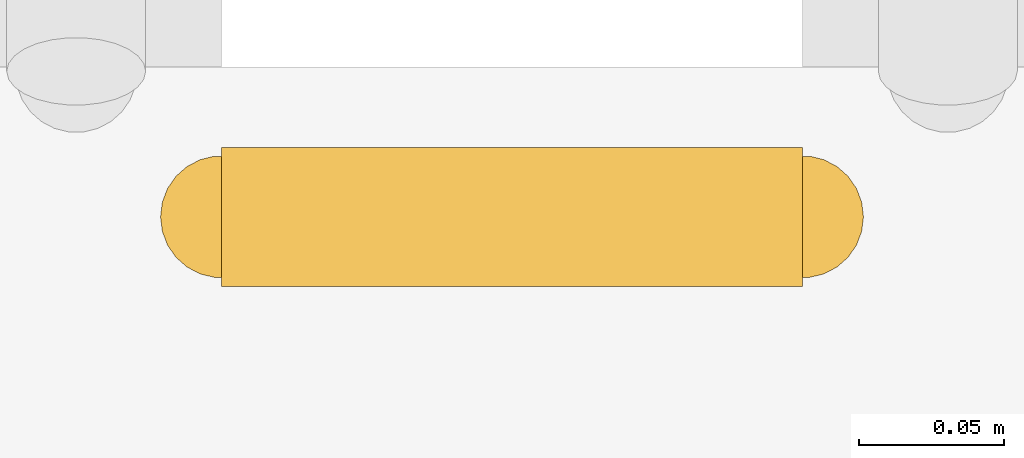
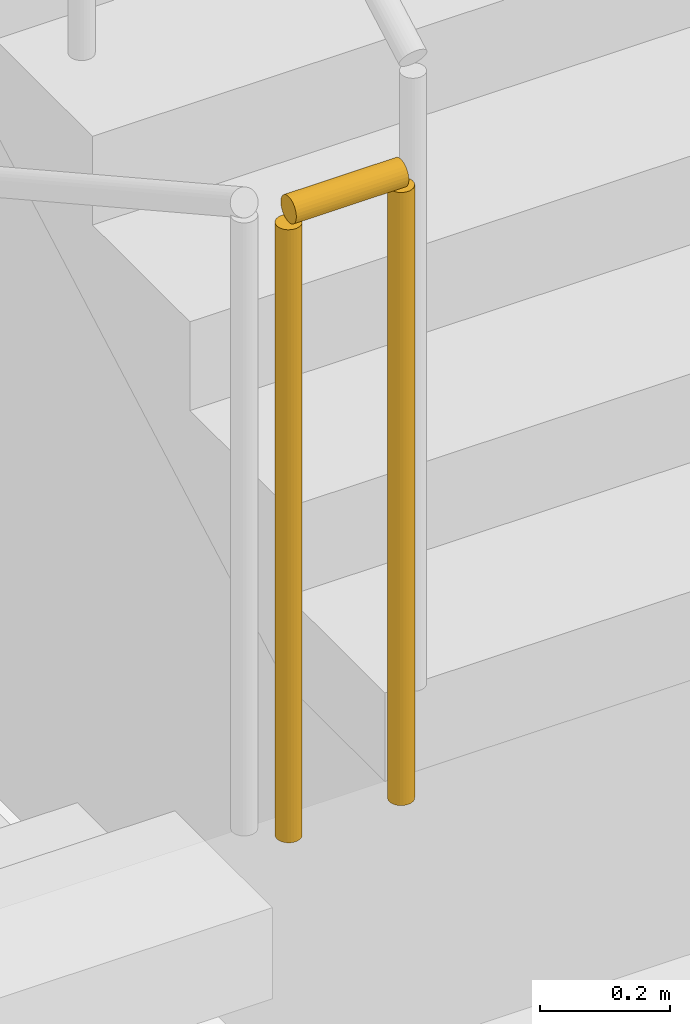
# One storey, part 12 of 20: 1 railing.
"""IFC4 building model written with IfcOpenShell, lengths in metres."""

from ifc_helpers import new_model, si_unit, direction, frame, origin, origin_2d, place, context, subcontext, project, spatial, circle, extrude, material, type_object, element, save


model = new_model("IFC4")

# Units and contexts
model_context = context("Model", 3, precision=1e-05, world=origin(), true_north=direction((0.0, 1.0)))
body_context = subcontext(model_context, "Body", "Model", "MODEL_VIEW")
ifc_project = project(units=[si_unit("LENGTHUNIT", "METRE"), si_unit("AREAUNIT", "SQUARE_METRE"), si_unit("VOLUMEUNIT", "CUBIC_METRE"), si_unit("PLANEANGLEUNIT", "RADIAN"), si_unit("MASSUNIT", "GRAM", prefix="KILO")], contexts=[model_context])

# Site, building, storey
site_placement = place(None, origin())
site = spatial("IfcSite", under=ifc_project, at=site_placement, CompositionType="ELEMENT")
building_placement = place(site_placement, origin())
building = spatial("IfcBuilding", under=site, at=building_placement, Name="Qiaolan Cultural Towers", CompositionType="ELEMENT")
storey_placement = place(building_placement, frame((0.0, 0.0, -6.0)))
storey = spatial("IfcBuildingStorey", under=building, at=storey_placement, Name="B1", CompositionType="ELEMENT", Elevation=-6.0)

# Railing
ifc_material = material(Name="Galvanized Painted Steel Stair Guardrail", Category="steel")
railing_type = type_object("IfcRailingType", Name="RL-STAIR-GRD", PredefinedType="GUARDRAIL", material=ifc_material)
railing_placement = place(storey_placement, frame((23.739990234375, 14.39990234375, 3.0)))
element("IfcRailing", 1, at=railing_placement, inside=storey, type_object=railing_type, Name="B1 ST-W1 stair guard 2", PredefinedType="GUARDRAIL", context=body_context, shape_type="SweptSolid", body=[
    extrude(circle(Radius=0.02392578125, at=origin_2d()), frame((0.0, 0.0, 1.17578125), z_axis=(1.0, 0.0, 0.0), x_axis=(0.0, 1.0, 0.0)), (0.0, 0.0, 1.0), 0.199951171875),
    extrude(circle(Radius=0.02099609375, at=origin_2d()), origin(), (0.0, 0.0, 1.0), 1.15185546875),
    extrude(circle(Radius=0.02099609375, at=origin_2d()), frame((0.199951171875, 0.0, 0.0)), (0.0, 0.0, 1.0), 1.15185546875),
])

save(model, "model.ifc")
